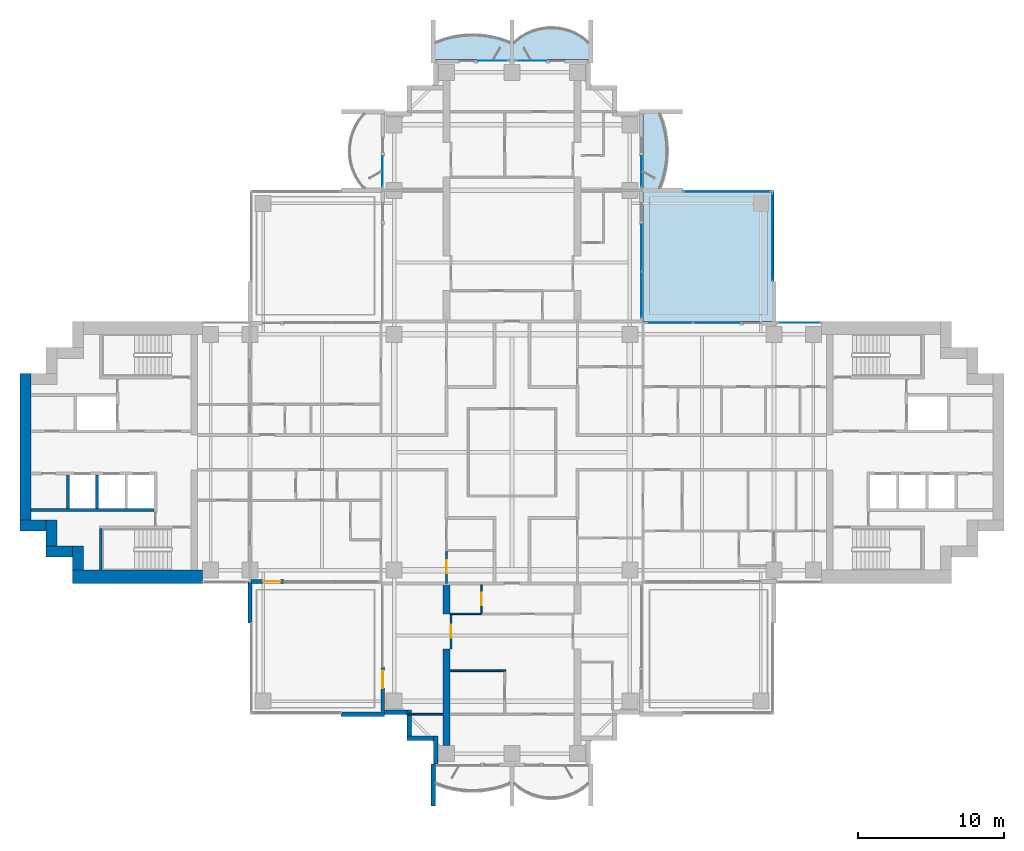
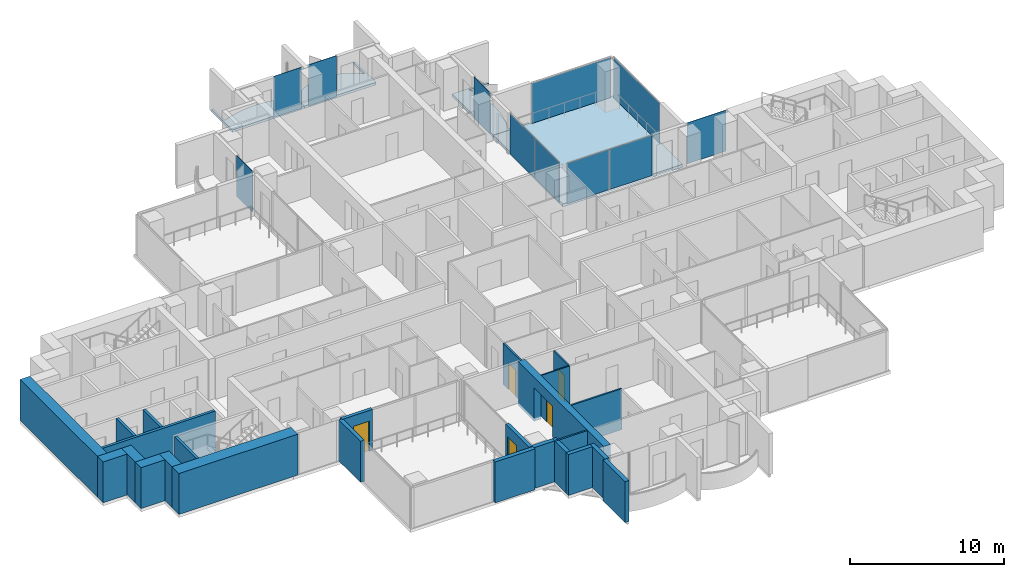
# One storey, part 8 of 19: 26 walls, 11 plates, 5 doors, 4 slabs, 5 openings, 9 elements without a shape of their own.
"""IFC4 building model written with IfcOpenShell, lengths in metres."""

from ifc_helpers import new_model, si_unit, direction, frame, frame_2d, origin, origin_2d, place, context, subcontext, project, spatial, polyline, rectangle, outline, extrude, material, layer, layer_set, material_profile, profile_set, type_object, element, fill, aggregate, save


model = new_model("IFC4")

# Units and contexts
model_context = context("Model", 3, precision=1e-05, world=origin(), true_north=direction((0.0, 1.0)))
body_context = subcontext(model_context, "Body", "Model", "MODEL_VIEW")
ifc_project = project(units=[si_unit("LENGTHUNIT", "METRE"), si_unit("AREAUNIT", "SQUARE_METRE"), si_unit("VOLUMEUNIT", "CUBIC_METRE"), si_unit("PLANEANGLEUNIT", "RADIAN"), si_unit("MASSUNIT", "GRAM", prefix="KILO")], contexts=[model_context])

# Site, building, storey
site_placement = place(None, origin())
site = spatial("IfcSite", under=ifc_project, at=site_placement, CompositionType="ELEMENT")
building_placement = place(site_placement, origin())
building = spatial("IfcBuilding", under=site, at=building_placement, Name="Perihelion Cross Residences", CompositionType="ELEMENT")
storey_placement = place(building_placement, frame((0.0, 0.0, 112.89990234375)))
storey = spatial("IfcBuildingStorey", under=building, at=storey_placement, Name="L26", CompositionType="ELEMENT", Elevation=112.89990234375)

# Slabs
ifc_material_1 = material(Name="Concrete C40/50", Category="concrete")
ifc_layer_1 = layer(ifc_material_1, 0.199951171875)
ifc_layer_set_1 = layer_set([ifc_layer_1], Name="Balcony slab 200")
slab_type_1 = type_object("IfcSlabType", Name="Balcony slab 200", PredefinedType="FLOOR", material=ifc_layer_set_1)
slab_1_placement = place(storey_placement, frame((0.0, 0.0, -0.199951171875)))
element("IfcSlab", 1, at=slab_1_placement, inside=storey, type_object=slab_type_1, Name="Slab BK1 L26 north side east bay 2 balcony", PredefinedType="FLOOR", context=body_context, shape_type="SweptSolid", body=[
    extrude(outline(polyline([(9.0, 18.0), (9.0, 23.39990234375), (11.699951171875, 23.39990234375), (11.699951171875, 23.25), (10.199951171875, 23.25), (10.423583984375, 22.612548828125), (10.57861328125, 21.97509765625), (10.669921875, 21.33740234375), (10.699951171875, 20.699951171875), (10.669921875, 20.0625), (10.57861328125, 19.425048828125), (10.423583984375, 18.78759765625), (10.199951171875, 18.14990234375), (11.699951171875, 18.14990234375), (11.699951171875, 18.0), (9.0, 18.0)])), origin(), (0.0, 0.0, 1.0), 0.199951171875),
])
slab_2_placement = place(storey_placement, frame((0.0, 0.0, -0.199951171875)))
element("IfcSlab", 2, at=slab_2_placement, inside=storey, type_object=slab_type_1, Name="Slab BK1 L26 north tip north bay 1 balcony", PredefinedType="FLOOR", context=body_context, shape_type="SweptSolid", body=[
    extrude(outline(polyline([(5.39990234375, 27.0), (0.0, 27.0), (0.0, 29.699951171875), (0.14990234375, 29.699951171875), (0.14990234375, 28.199951171875), (0.574951171875, 28.5400390625), (1.0, 28.792724609375), (1.425048828125, 28.9765625), (1.85009765625, 29.1025390625), (2.27490234375, 29.17578125), (2.699951171875, 29.199951171875), (3.125, 29.17578125), (3.550048828125, 29.1025390625), (3.97509765625, 28.9765625), (4.39990234375, 28.792724609375), (4.824951171875, 28.5400390625), (5.25, 28.199951171875), (5.25, 29.699951171875), (5.39990234375, 29.699951171875), (5.39990234375, 27.0)])), origin(), (0.0, 0.0, 1.0), 0.199951171875),
])
slab_3_placement = place(storey_placement, frame((0.0, 0.0, -0.199951171875)))
element("IfcSlab", 3, at=slab_3_placement, inside=storey, type_object=slab_type_1, Name="Slab BK1 L26 north tip north bay 2 balcony", PredefinedType="FLOOR", context=body_context, shape_type="SweptSolid", body=[
    extrude(outline(polyline([(0.0, 27.0), (-5.39990234375, 27.0), (-5.39990234375, 29.699951171875), (-5.25, 29.699951171875), (-5.25, 28.199951171875), (-4.612548828125, 28.423583984375), (-3.97509765625, 28.57861328125), (-3.33740234375, 28.669921875), (-2.699951171875, 28.699951171875), (-2.0625, 28.669921875), (-1.425048828125, 28.57861328125), (-0.78759765625, 28.423583984375), (-0.14990234375, 28.199951171875), (-0.14990234375, 29.699951171875), (0.0, 29.699951171875), (0.0, 27.0)])), origin(), (0.0, 0.0, 1.0), 0.199951171875),
])

# Curtain wall, plate
ifc_material_2 = material(Name="Bronze anodised aluminium, tinted glazing", Category="aluminium")
curtain_wall_type_1 = type_object("IfcCurtainWallType", Name="CW1", PredefinedType="NOTDEFINED", material=ifc_material_2)
curtain_wall_1_placement = place(storey_placement, origin())
curtain_wall_1 = element("IfcCurtainWall", 4, at=curtain_wall_1_placement, inside=storey, type_object=curtain_wall_type_1, Name="Curtain wall CW1 L26 east side north bay 1", PredefinedType="NOTDEFINED")
ifc_material_3 = material(Name="Tinted laminated glass", Category="glass")
ifc_layer_2 = layer(ifc_material_3, 0.028076171875)
ifc_layer_set_2 = layer_set([ifc_layer_2], Name="CW1 panel")
plate_type_1 = type_object("IfcPlateType", Name="CW1 panel", PredefinedType="CURTAIN_PANEL", material=ifc_layer_set_2)
plate_1_placement = place(storey_placement, frame((19.72509765625, 8.89990234375, 0.0), z_axis=(0.0, 0.0, 1.0), x_axis=(-1.0, 0.0, 0.0)))
plate_1 = element("IfcPlate", 5, at=plate_1_placement, type_object=plate_type_1, Name="CW1 panel 1", PredefinedType="CURTAIN_PANEL", context=body_context, shape_type="SweptSolid", body=[
    extrude(rectangle(XDim=2.929931640625, YDim=0.028076171875, at=origin_2d()), origin(), (0.0, 0.0, 1.0), 3.25),
])
aggregate(curtain_wall_1, [plate_1])

# Curtain wall, plates
curtain_wall_2_placement = place(storey_placement, origin())
curtain_wall_2 = element("IfcCurtainWall", 6, at=curtain_wall_2_placement, inside=storey, type_object=curtain_wall_type_1, Name="Curtain wall CW1 L26 east side north bay 2", PredefinedType="NOTDEFINED")
plate_2_placement = place(storey_placement, frame((14.052490234375, 8.89990234375, 0.000244140625), z_axis=(0.0, 0.0, 1.0), x_axis=(-1.0, 0.0, 0.0)))
plate_2 = element("IfcPlate", 7, at=plate_2_placement, type_object=plate_type_1, Name="CW1 panel 1", PredefinedType="CURTAIN_PANEL", context=body_context, shape_type="SweptSolid", body=[
    extrude(rectangle(XDim=3.195068359375, YDim=0.028076171875, at=origin_2d()), origin(), (0.0, 0.0, 1.0), 3.18994140625),
])
plate_3_placement = place(storey_placement, frame((10.827392578125, 8.89990234375, 0.000244140625), z_axis=(0.0, 0.0, 1.0), x_axis=(-1.0, 0.0, 0.0)))
plate_3 = element("IfcPlate", 8, at=plate_3_placement, type_object=plate_type_1, Name="CW1 panel 2", PredefinedType="CURTAIN_PANEL", context=body_context, shape_type="SweptSolid", body=[
    extrude(rectangle(XDim=3.135009765625, YDim=0.028076171875, at=origin_2d()), origin(), (0.0, 0.0, 1.0), 3.18994140625),
])
aggregate(curtain_wall_2, [plate_2, plate_3])

curtain_wall_3_placement = place(storey_placement, origin())
curtain_wall_3 = element("IfcCurtainWall", 9, at=curtain_wall_3_placement, inside=storey, type_object=curtain_wall_type_1, Name="Curtain wall CW1 L26 north side east bay 1", PredefinedType="NOTDEFINED")
plate_4_placement = place(storey_placement, frame((8.89990234375, 10.827392578125, 0.000244140625), z_axis=(0.0, 0.0, 1.0), x_axis=(0.0, 1.0, 0.0)))
plate_4 = element("IfcPlate", 10, at=plate_4_placement, type_object=plate_type_1, Name="CW1 panel 1", PredefinedType="CURTAIN_PANEL", context=body_context, shape_type="SweptSolid", body=[
    extrude(rectangle(XDim=3.135009765625, YDim=0.028076171875, at=origin_2d()), origin(), (0.0, 0.0, 1.0), 3.18994140625),
])
plate_5_placement = place(storey_placement, frame((8.89990234375, 14.052490234375, 0.000244140625), z_axis=(0.0, 0.0, 1.0), x_axis=(0.0, 1.0, 0.0)))
plate_5 = element("IfcPlate", 11, at=plate_5_placement, type_object=plate_type_1, Name="CW1 panel 2", PredefinedType="CURTAIN_PANEL", context=body_context, shape_type="SweptSolid", body=[
    extrude(rectangle(XDim=3.195068359375, YDim=0.028076171875, at=origin_2d()), origin(), (0.0, 0.0, 1.0), 3.18994140625),
])
aggregate(curtain_wall_3, [plate_4, plate_5])

# Curtain wall, plate
curtain_wall_4_placement = place(storey_placement, origin())
curtain_wall_4 = element("IfcCurtainWall", 12, at=curtain_wall_4_placement, inside=storey, type_object=curtain_wall_type_1, Name="Curtain wall CW1 L26 north side east bay 2", PredefinedType="NOTDEFINED")
plate_6_placement = place(storey_placement, frame((8.89990234375, 19.304931640625, 0.0), z_axis=(0.0, 0.0, 1.0), x_axis=(0.0, 1.0, 0.0)))
plate_6 = element("IfcPlate", 13, at=plate_6_placement, type_object=plate_type_1, Name="CW1 panel 1", PredefinedType="CURTAIN_PANEL", context=body_context, shape_type="SweptSolid", body=[
    extrude(rectangle(XDim=2.090087890625, YDim=0.028076171875, at=origin_2d()), origin(), (0.0, 0.0, 1.0), 3.25),
])
aggregate(curtain_wall_4, [plate_6])

curtain_wall_5_placement = place(storey_placement, origin())
curtain_wall_5 = element("IfcCurtainWall", 14, at=curtain_wall_5_placement, inside=storey, type_object=curtain_wall_type_1, Name="Curtain wall CW1 L26 north tip north bay 1", PredefinedType="NOTDEFINED")
plate_7_placement = place(storey_placement, frame((1.304931640625, 26.89990234375, 0.0), z_axis=(0.0, 0.0, 1.0), x_axis=(-1.0, 0.0, 0.0)))
plate_7 = element("IfcPlate", 15, at=plate_7_placement, type_object=plate_type_1, Name="CW1 panel 1", PredefinedType="CURTAIN_PANEL", context=body_context, shape_type="SweptSolid", body=[
    extrude(rectangle(XDim=2.090087890625, YDim=0.028076171875, at=origin_2d()), origin(), (0.0, 0.0, 1.0), 3.25),
])
aggregate(curtain_wall_5, [plate_7])

curtain_wall_6_placement = place(storey_placement, origin())
curtain_wall_6 = element("IfcCurtainWall", 16, at=curtain_wall_6_placement, inside=storey, type_object=curtain_wall_type_1, Name="Curtain wall CW1 L26 north tip north bay 2", PredefinedType="NOTDEFINED")
plate_8_placement = place(storey_placement, frame((-1.304931640625, 26.89990234375, 0.0), z_axis=(0.0, 0.0, 1.0), x_axis=(-1.0, 0.0, 0.0)))
plate_8 = element("IfcPlate", 17, at=plate_8_placement, type_object=plate_type_1, Name="CW1 panel 1", PredefinedType="CURTAIN_PANEL", context=body_context, shape_type="SweptSolid", body=[
    extrude(rectangle(XDim=2.090087890625, YDim=0.028076171875, at=origin_2d()), origin(), (0.0, 0.0, 1.0), 3.25),
])
aggregate(curtain_wall_6, [plate_8])

curtain_wall_7_placement = place(storey_placement, origin())
curtain_wall_7 = element("IfcCurtainWall", 18, at=curtain_wall_7_placement, inside=storey, type_object=curtain_wall_type_1, Name="Curtain wall CW1 L26 north side west bay 1", PredefinedType="NOTDEFINED")
plate_9_placement = place(storey_placement, frame((-8.89990234375, 19.304931640625, 0.0), z_axis=(0.0, 0.0, 1.0), x_axis=(0.0, -1.0, 0.0)))
plate_9 = element("IfcPlate", 19, at=plate_9_placement, type_object=plate_type_1, Name="CW1 panel 1", PredefinedType="CURTAIN_PANEL", context=body_context, shape_type="SweptSolid", body=[
    extrude(rectangle(XDim=2.090087890625, YDim=0.028076171875, at=origin_2d()), origin(), (0.0, 0.0, 1.0), 3.25),
])
aggregate(curtain_wall_7, [plate_9])

ifc_material_4 = material(Name="Bronze anodised aluminium, tinted glazing", Category="aluminium")
curtain_wall_type_2 = type_object("IfcCurtainWallType", Name="CW4", PredefinedType="NOTDEFINED", material=ifc_material_4)
curtain_wall_8_placement = place(storey_placement, origin())
curtain_wall_8 = element("IfcCurtainWall", 20, at=curtain_wall_8_placement, inside=storey, type_object=curtain_wall_type_2, Name="Curtain wall CW4 L26 pocket north-east 1 1", PredefinedType="NOTDEFINED")
ifc_material_5 = material(Name="Tinted laminated glass", Category="glass")
ifc_layer_3 = layer(ifc_material_5, 0.030029296875)
ifc_layer_set_3 = layer_set([ifc_layer_3], Name="CW4 panel")
plate_type_2 = type_object("IfcPlateType", Name="CW4 panel", PredefinedType="CURTAIN_PANEL", material=ifc_layer_set_3)
plate_10_placement = place(storey_placement, frame((14.784912109375, 17.89990234375, 0.000244140625), z_axis=(0.0, 0.0, 1.0), x_axis=(1.0, 0.0, 0.0)))
plate_10 = element("IfcPlate", 21, at=plate_10_placement, type_object=plate_type_2, Name="CW4 panel 1", PredefinedType="CURTAIN_PANEL", context=body_context, shape_type="SweptSolid", body=[
    extrude(rectangle(XDim=5.969970703125, YDim=0.030029296875, at=origin_2d()), origin(), (0.0, 0.0, 1.0), 3.18994140625),
])
aggregate(curtain_wall_8, [plate_10])

curtain_wall_9_placement = place(storey_placement, origin())
curtain_wall_9 = element("IfcCurtainWall", 22, at=curtain_wall_9_placement, inside=storey, type_object=curtain_wall_type_2, Name="Curtain wall CW4 L26 pocket north-east 1 2", PredefinedType="NOTDEFINED")
plate_11_placement = place(storey_placement, frame((17.89990234375, 14.784912109375, 0.000244140625), z_axis=(0.0, 0.0, 1.0), x_axis=(0.0, -1.0, 0.0)))
plate_11 = element("IfcPlate", 23, at=plate_11_placement, type_object=plate_type_2, Name="CW4 panel 1", PredefinedType="CURTAIN_PANEL", context=body_context, shape_type="SweptSolid", body=[
    extrude(rectangle(XDim=5.969970703125, YDim=0.030029296875, at=origin_2d()), origin(), (0.0, 0.0, 1.0), 3.18994140625),
])
aggregate(curtain_wall_9, [plate_11])

# Slab
ifc_material_6 = material(Name="Concrete C40/50", Category="concrete")
ifc_layer_4 = layer(ifc_material_6, 0.25)
ifc_layer_set_4 = layer_set([ifc_layer_4], Name="Winter garden slab")
slab_type_2 = type_object("IfcSlabType", Name="Winter garden slab", PredefinedType="FLOOR", material=ifc_layer_set_4)
slab_4_placement = place(storey_placement, frame((0.0, 0.0, -0.25)))
element("IfcSlab", 24, at=slab_4_placement, inside=storey, type_object=slab_type_2, Name="Slab BK3 L26 pocket north-east", PredefinedType="FLOOR", context=body_context, shape_type="SweptSolid", body=[
    extrude(outline(polyline([(18.0, 9.0), (18.0, 18.0), (9.0, 18.0), (9.0, 9.0), (18.0, 9.0)])), origin(), (0.0, 0.0, 1.0), 0.25),
])

# Wall, opening, door
ifc_material_7 = material(Name="Concrete C30/37, bronze-clad", Category="concrete")
ifc_layer_5 = layer(ifc_material_7, 0.25)
ifc_layer_set_5 = layer_set([ifc_layer_5], Name="Bronze-clad pier wall 250")
wall_type_1 = type_object("IfcWallType", Name="Bronze-clad pier wall 250", PredefinedType="SOLIDWALL", material=ifc_layer_set_5)
wall_1_placement = place(storey_placement, frame((-17.93994140625, -8.875, 0.0), z_axis=(0.0, 0.0, 1.0), x_axis=(1.0, 0.0, 0.0)))
wall_1 = element("IfcWall", 25, at=wall_1_placement, inside=storey, type_object=wall_type_1, Name="Wall FW1 L26 west side south bay 2 pier", PredefinedType="SOLIDWALL", context=body_context, shape_type="SweptSolid", body=[
    extrude(rectangle(XDim=2.2900390625, YDim=0.25, at=frame_2d((1.14501953125, 0.0))), origin(), (0.0, 0.0, 1.0), 3.25),
])
opening_1_placement = place(wall_1_placement, frame((0.840087890625, 0.0, 0.0)))
opening_1 = element("IfcOpeningElement", 26, at=opening_1_placement, cuts=wall_1, Name="Opening L26.E09", PredefinedType="OPENING", context=body_context, shape_type="SweptSolid", body=[
    extrude(rectangle(XDim=1.199951171875, YDim=2.39990234375, at=frame_2d((0.60009765625, 1.199951171875))), frame((0.0, 0.135009765625, 0.0), z_axis=(0.0, -1.0, 0.0), x_axis=(1.0, 0.0, 0.0)), (0.0, 0.0, 1.0), 0.27001953125),
])
ifc_material_8 = material(Name="Bronze anodised aluminium, glazed", Category="aluminium")
door_type_1 = type_object("IfcDoorType", Name="Balcony door 1200 x 2400", OperationType="NOTDEFINED", PredefinedType="DOOR", material=ifc_material_8)
door_1_placement = place(opening_1_placement, origin())
door_1 = element("IfcDoor", 27, at=door_1_placement, inside=storey, type_object=door_type_1, Name="Door L26.E09 west side south bay 2", OperationType="SINGLE_SWING_RIGHT", OverallHeight=2.39990234375, OverallWidth=1.199951171875, PredefinedType="DOOR", context=body_context, shape_type="SweptSolid", body=[
    extrude(rectangle(XDim=1.199951171875, YDim=2.39990234375, at=frame_2d((0.60009765625, 1.199951171875))), frame((0.0, 0.02490234375, 0.0), z_axis=(0.0, -1.0, 0.0), x_axis=(1.0, 0.0, 0.0)), (0.0, 0.0, 1.0), 0.050048828125),
])
fill(opening_1, door_1)

wall_2_placement = place(storey_placement, frame((-8.875, -14.75, 0.0), z_axis=(0.0, 0.0, 1.0), x_axis=(0.0, -1.0, 0.0)))
wall_2 = element("IfcWall", 28, at=wall_2_placement, inside=storey, type_object=wall_type_1, Name="Wall FW1 L26 south side west bay 1 pier", PredefinedType="SOLIDWALL", context=body_context, shape_type="SweptSolid", body=[
    extrude(rectangle(XDim=3.050048828125, YDim=0.25, at=frame_2d((1.52490234375, 0.0))), origin(), (0.0, 0.0, 1.0), 3.25),
])
opening_2_placement = place(wall_2_placement, frame((0.25, 0.0, 0.0)))
opening_2 = element("IfcOpeningElement", 29, at=opening_2_placement, cuts=wall_2, Name="Opening L26.E10", PredefinedType="OPENING", context=body_context, shape_type="SweptSolid", body=[
    extrude(rectangle(XDim=1.199951171875, YDim=2.39990234375, at=frame_2d((0.60009765625, 1.199951171875))), frame((0.0, 0.135009765625, 0.0), z_axis=(0.0, -1.0, 0.0), x_axis=(1.0, 0.0, 0.0)), (0.0, 0.0, 1.0), 0.27001953125),
])
door_2_placement = place(opening_2_placement, origin())
door_2 = element("IfcDoor", 30, at=door_2_placement, inside=storey, type_object=door_type_1, Name="Door L26.E10 south side west bay 1", OperationType="SINGLE_SWING_LEFT", OverallHeight=2.39990234375, OverallWidth=1.199951171875, PredefinedType="DOOR", context=body_context, shape_type="SweptSolid", body=[
    extrude(rectangle(XDim=1.199951171875, YDim=2.39990234375, at=frame_2d((0.60009765625, 1.199951171875))), frame((0.0, 0.02490234375, 0.0), z_axis=(0.0, -1.0, 0.0), x_axis=(1.0, 0.0, 0.0)), (0.0, 0.0, 1.0), 0.050048828125),
])
fill(opening_2, door_2)

# Walls
ifc_material_9 = material(Name="Concrete C30/37, bronze-clad", Category="concrete")
ifc_layer_6 = layer(ifc_material_9, 0.300048828125)
ifc_layer_set_6 = layer_set([ifc_layer_6], Name="Bronze-clad serration wall 300")
wall_type_2 = type_object("IfcWallType", Name="Bronze-clad serration wall 300", PredefinedType="SOLIDWALL", material=ifc_layer_set_6)
wall_3_placement = place(storey_placement, frame((-8.75, -17.85009765625, 0.0), z_axis=(0.0, 0.0, 1.0), x_axis=(1.0, 0.0, 0.0)))
element("IfcWall", 31, at=wall_3_placement, inside=storey, type_object=wall_type_2, Name="Wall SR1 L26 south corner south-west 1", PredefinedType="SOLIDWALL", context=body_context, shape_type="SweptSolid", body=[
    extrude(rectangle(XDim=1.550048828125, YDim=0.300048828125, at=frame_2d((0.77490234375, 0.0))), origin(), (0.0, 0.0, 1.0), 3.25),
])
for number, where, z_axis, x_axis, name in (
    (32, (-7.050048828125, -17.699951171875, 0.0), (0.0, 0.0, 1.0), (0.0, -1.0, 0.0), "Wall SR1 L26 south corner south-west 2"),
    (33, (-7.199951171875, -19.64990234375, 0.0), (0.0, 0.0, 1.0), (1.0, 0.0, 0.0), "Wall SR1 L26 south corner south-west 3"),
):
    element("IfcWall", number, at=place(storey_placement, frame(where, z_axis=z_axis, x_axis=x_axis)), inside=storey, type_object=wall_type_2, Name=name, PredefinedType="SOLIDWALL", context=body_context, shape_type="SweptSolid", body=[
        extrude(rectangle(XDim=1.800048828125, YDim=0.300048828125, at=frame_2d((0.89990234375, 0.0))), origin(), (0.0, 0.0, 1.0), 3.25),
    ])
wall_4_placement = place(storey_placement, frame((-5.25, -19.5, 0.0), z_axis=(0.0, 0.0, 1.0), x_axis=(0.0, -1.0, 0.0)))
element("IfcWall", 34, at=wall_4_placement, inside=storey, type_object=wall_type_2, Name="Wall SR1 L26 south corner south-west 4", PredefinedType="SOLIDWALL", context=body_context, shape_type="SweptSolid", body=[
    extrude(rectangle(XDim=1.919921875, YDim=0.300048828125, at=frame_2d((0.9599609375, 0.0))), origin(), (0.0, 0.0, 1.0), 3.25),
])
ifc_material_10 = material(Name="Concrete C60/75", Category="concrete")
ifc_layer_7 = layer(ifc_material_10, 0.75)
ifc_layer_set_7 = layer_set([ifc_layer_7], Name="Core wall, outer 750")
wall_type_3 = type_object("IfcWallType", Name="Core wall, outer 750", PredefinedType="SHEAR", material=ifc_layer_set_7)
wall_5_placement = place(storey_placement, frame((-29.824951171875, -8.10009765625, 0.0), z_axis=(0.0, 0.0, 1.0), x_axis=(0.0, 1.0, 0.0)))
element("IfcWall", 35, at=wall_5_placement, inside=storey, type_object=wall_type_3, Name="West core core wall, outer", PredefinedType="SHEAR", context=body_context, shape_type="SweptSolid", body=[
    extrude(rectangle(XDim=1.650146484375, YDim=0.75, at=frame_2d((0.8251953125, 0.0))), origin(), (0.0, 0.0, 1.0), 3.25),
])
for number, where, z_axis, x_axis, name in (
    (36, (-32.0, -6.824951171875, 0.0), (0.0, 0.0, 1.0), (1.0, 0.0, 0.0), "West core core wall, outer"),
    (37, (-31.625, -6.449951171875, 0.0), (0.0, 0.0, 1.0), (0.0, 1.0, 0.0), "West core core wall, outer"),
    (38, (-33.800048828125, -5.02490234375, 0.0), (0.0, 0.0, 1.0), (1.0, 0.0, 0.0), "West core core wall, outer"),
):
    element("IfcWall", number, at=place(storey_placement, frame(where, z_axis=z_axis, x_axis=x_axis)), inside=storey, type_object=wall_type_3, Name=name, PredefinedType="SHEAR", context=body_context, shape_type="SweptSolid", body=[
        extrude(rectangle(XDim=1.800048828125, YDim=0.75, at=frame_2d((0.89990234375, 0.0))), origin(), (0.0, 0.0, 1.0), 3.25),
    ])
wall_6_placement = place(storey_placement, frame((-33.425048828125, -4.64990234375, 0.0), z_axis=(0.0, 0.0, 1.0), x_axis=(0.0, 1.0, 0.0)))
element("IfcWall", 39, at=wall_6_placement, inside=storey, type_object=wall_type_3, Name="West core core wall, outer", PredefinedType="SHEAR", context=body_context, shape_type="SweptSolid", body=[
    extrude(rectangle(XDim=10.0498046875, YDim=0.75, at=frame_2d((5.02490234375, 0.0))), origin(), (0.0, 0.0, 1.0), 3.25),
])
ifc_material_11 = material(Name="Concrete C60/75", Category="concrete")
ifc_layer_8 = layer(ifc_material_11, 0.89990234375)
ifc_layer_set_8 = layer_set([ifc_layer_8], Name="Core wall, outer 900")
wall_type_4 = type_object("IfcWallType", Name="Core wall, outer 900", PredefinedType="SHEAR", material=ifc_layer_set_8)
wall_7_placement = place(storey_placement, frame((-30.199951171875, -8.550048828125, 0.0), z_axis=(0.0, 0.0, 1.0), x_axis=(1.0, 0.0, 0.0)))
element("IfcWall", 40, at=wall_7_placement, inside=storey, type_object=wall_type_4, Name="West core core wall, outer", PredefinedType="SHEAR", context=body_context, shape_type="SweptSolid", body=[
    extrude(rectangle(XDim=8.949951171875, YDim=0.89990234375, at=frame_2d((4.47509765625, 0.0))), origin(), (0.0, 0.0, 1.0), 3.25),
])

# Wall, opening, door
ifc_material_12 = material(Name="Plasterboard partition")
ifc_layer_9 = layer(ifc_material_12, 0.1201171875)
ifc_layer_set_9 = layer_set([ifc_layer_9], Name="Infill panel 120")
wall_type_5 = type_object("IfcWallType", Name="Infill panel 120", PredefinedType="PARTITIONING", material=ifc_layer_set_9)
wall_8_placement = place(storey_placement, frame((-4.18994140625, -11.10009765625, 0.0), z_axis=(0.0, 0.0, 1.0), x_axis=(0.0, -1.0, 0.0)))
wall_8 = element("IfcWall", 41, at=wall_8_placement, inside=storey, type_object=wall_type_5, Name="Partition L26 WI06", PredefinedType="PARTITIONING", context=body_context, shape_type="SweptSolid", body=[
    extrude(rectangle(XDim=2.39990234375, YDim=0.1201171875, at=frame_2d((1.199951171875, 0.0))), origin(), (0.0, 0.0, 1.0), 2.400146484375),
])
opening_3_placement = place(wall_8_placement, frame((0.75, 0.0, 0.0)))
opening_3 = element("IfcOpeningElement", 42, at=opening_3_placement, cuts=wall_8, Name="Opening L26.A58", PredefinedType="OPENING", context=body_context, shape_type="SweptSolid", body=[
    extrude(rectangle(XDim=0.89990234375, YDim=2.10009765625, at=frame_2d((0.449951171875, 1.050048828125))), frame((0.0, 0.070068359375, 0.0), z_axis=(0.0, -1.0, 0.0), x_axis=(1.0, 0.0, 0.0)), (0.0, 0.0, 1.0), 0.14013671875),
])
ifc_material_13 = material(Name="Timber door leaf", Category="wood")
door_type_2 = type_object("IfcDoorType", Name="Interior room door 900 x 2100", OperationType="SINGLE_SWING_LEFT", PredefinedType="DOOR", material=ifc_material_13)
door_3_placement = place(opening_3_placement, origin())
door_3 = element("IfcDoor", 43, at=door_3_placement, inside=storey, type_object=door_type_2, Name="Door L26.A58", OperationType="SINGLE_SWING_RIGHT", OverallHeight=2.10009765625, OverallWidth=0.89990234375, PredefinedType="DOOR", context=body_context, shape_type="SweptSolid", body=[
    extrude(rectangle(XDim=0.89990234375, YDim=2.10009765625, at=frame_2d((0.449951171875, 1.050048828125))), frame((0.0, 0.02490234375, 0.0), z_axis=(0.0, -1.0, 0.0), x_axis=(1.0, 0.0, 0.0)), (0.0, 0.0, 1.0), 0.050048828125),
])
fill(opening_3, door_3)

ifc_material_14 = material(Name="Plasterboard partition")
ifc_layer_10 = layer(ifc_material_14, 0.1201171875)
ifc_layer_set_10 = layer_set([ifc_layer_10], Name="Partition wall 120")
wall_type_6 = type_object("IfcWallType", Name="Partition wall 120", PredefinedType="PARTITIONING", material=ifc_layer_set_10)
wall_9_placement = place(storey_placement, frame((-4.5, -6.75, 0.0), z_axis=(0.0, 0.0, 1.0), x_axis=(0.0, -1.0, 0.0)))
wall_9 = element("IfcWall", 44, at=wall_9_placement, inside=storey, type_object=wall_type_6, Name="Partition L26 W064", PredefinedType="PARTITIONING", context=body_context, shape_type="SweptSolid", body=[
    extrude(rectangle(XDim=2.25, YDim=0.1201171875, at=frame_2d((1.125, 0.0))), origin(), (0.0, 0.0, 1.0), 3.25),
])
opening_4_placement = place(wall_9_placement, frame((0.675048828125, 0.0, 0.0)))
opening_4 = element("IfcOpeningElement", 45, at=opening_4_placement, cuts=wall_9, Name="Opening L26.A31", PredefinedType="OPENING", context=body_context, shape_type="SweptSolid", body=[
    extrude(rectangle(XDim=0.89990234375, YDim=2.10009765625, at=frame_2d((0.449951171875, 1.050048828125))), frame((0.0, 0.070068359375, 0.0), z_axis=(0.0, -1.0, 0.0), x_axis=(1.0, 0.0, 0.0)), (0.0, 0.0, 1.0), 0.14013671875),
])
door_4_placement = place(opening_4_placement, origin())
door_4 = element("IfcDoor", 46, at=door_4_placement, inside=storey, type_object=door_type_2, Name="Door L26.A31", OperationType="SINGLE_SWING_LEFT", OverallHeight=2.10009765625, OverallWidth=0.89990234375, PredefinedType="DOOR", context=body_context, shape_type="SweptSolid", body=[
    extrude(rectangle(XDim=0.89990234375, YDim=2.10009765625, at=frame_2d((0.449951171875, 1.050048828125))), frame((0.0, 0.02490234375, 0.0), z_axis=(0.0, -1.0, 0.0), x_axis=(1.0, 0.0, 0.0)), (0.0, 0.0, 1.0), 0.050048828125),
])
fill(opening_4, door_4)

# Walls
wall_10_placement = place(storey_placement, frame((-0.43994140625, -15.0, 0.0), z_axis=(0.0, 0.0, 1.0), x_axis=(-1.0, 0.0, 0.0)))
element("IfcWall", 47, at=wall_10_placement, inside=storey, type_object=wall_type_6, Name="Partition L26 W086", PredefinedType="PARTITIONING", context=body_context, shape_type="SweptSolid", body=[
    extrude(rectangle(XDim=3.81005859375, YDim=0.1201171875, at=frame_2d((1.905029296875, 0.0))), origin(), (0.0, 0.0, 1.0), 3.25),
])
wall_11_placement = place(storey_placement, frame((-4.75, -18.0, 0.0), z_axis=(0.0, 0.0, 1.0), x_axis=(-1.0, 0.0, 0.0)))
element("IfcWall", 48, at=wall_11_placement, inside=storey, type_object=wall_type_6, Name="Partition L26 W091", PredefinedType="PARTITIONING", context=body_context, shape_type="SweptSolid", body=[
    extrude(rectangle(XDim=2.3701171875, YDim=0.1201171875, at=frame_2d((1.18505859375, 0.0))), origin(), (0.0, 0.0, 1.0), 3.25),
])
ifc_material_15 = material(Name="Precast concrete C50/60", Category="concrete")
ifc_layer_11 = layer(ifc_material_15, 0.300048828125)
ifc_layer_set_11 = layer_set([ifc_layer_11], Name="Precast concrete C50/60 blade wall 300")
wall_type_7 = type_object("IfcWallType", Name="Precast concrete C50/60 blade wall 300", PredefinedType="SOLIDWALL", material=ifc_layer_set_11)
wall_12_placement = place(storey_placement, frame((-18.0, -8.919921875, 0.0), z_axis=(0.0, 0.0, 1.0), x_axis=(0.0, -1.0, 0.0)))
element("IfcWall", 49, at=wall_12_placement, inside=storey, type_object=wall_type_7, Name="Wall BL1 L26 no. 1", PredefinedType="SOLIDWALL", context=body_context, shape_type="SweptSolid", body=[
    extrude(rectangle(XDim=2.820068359375, YDim=0.300048828125, at=frame_2d((1.41015625, 0.0))), origin(), (0.0, 0.0, 1.0), 3.25),
])
wall_13_placement = place(storey_placement, frame((-8.75, -18.0, 0.0), z_axis=(0.0, 0.0, 1.0), x_axis=(-1.0, 0.0, 0.0)))
element("IfcWall", 50, at=wall_13_placement, inside=storey, type_object=wall_type_7, Name="Wall BL1 L26 no. 5", PredefinedType="SOLIDWALL", context=body_context, shape_type="SweptSolid", body=[
    extrude(rectangle(XDim=2.989990234375, YDim=0.300048828125, at=frame_2d((1.4951171875, 0.0))), origin(), (0.0, 0.0, 1.0), 3.25),
])
wall_14_placement = place(storey_placement, frame((-5.39990234375, -21.419921875, 0.0), z_axis=(0.0, 0.0, 1.0), x_axis=(0.0, -1.0, 0.0)))
element("IfcWall", 51, at=wall_14_placement, inside=storey, type_object=wall_type_7, Name="Wall BL1 L26 no. 3", PredefinedType="SOLIDWALL", context=body_context, shape_type="SweptSolid", body=[
    extrude(rectangle(XDim=2.880126953125, YDim=0.300048828125, at=frame_2d((1.43994140625, 0.0))), origin(), (0.0, 0.0, 1.0), 3.25),
])
ifc_material_16 = material(Name="Concrete C50/60", Category="concrete")
ifc_layer_12 = layer(ifc_material_16, 0.199951171875)
ifc_layer_set_12 = layer_set([ifc_layer_12], Name="Shaft wall 200")
wall_type_8 = type_object("IfcWallType", Name="Shaft wall 200", PredefinedType="SOLIDWALL", material=ifc_layer_set_12)
wall_15_placement = place(storey_placement, frame((-33.050048828125, -3.949951171875, 0.0), z_axis=(0.0, 0.0, 1.0), x_axis=(1.0, 0.0, 0.0)))
element("IfcWall", 52, at=wall_15_placement, inside=storey, type_object=wall_type_8, Name="West core shaft wall", PredefinedType="SOLIDWALL", context=body_context, shape_type="SweptSolid", body=[
    extrude(rectangle(XDim=8.449951171875, YDim=0.199951171875, at=frame_2d((4.22509765625, 0.0))), origin(), (0.0, 0.0, 1.0), 3.25),
])
for number, where, z_axis, x_axis, name in (
    (53, (-28.5, -3.85009765625, 0.0), (0.0, 0.0, 1.0), (0.0, 1.0, 0.0), "West core shaft wall"),
    (54, (-30.5, -3.85009765625, 0.0), (0.0, 0.0, 1.0), (0.0, 1.0, 0.0), "West core shaft wall"),
):
    element("IfcWall", number, at=place(storey_placement, frame(where, z_axis=z_axis, x_axis=x_axis)), inside=storey, type_object=wall_type_8, Name=name, PredefinedType="SOLIDWALL", context=body_context, shape_type="SweptSolid", body=[
        extrude(rectangle(XDim=2.300048828125, YDim=0.199951171875, at=frame_2d((1.14990234375, 0.0))), origin(), (0.0, 0.0, 1.0), 3.25),
    ])
ifc_material_17 = material(Name="Concrete C50/60", Category="concrete")
ifc_layer_13 = layer(ifc_material_17, 0.199951171875)
ifc_layer_set_13 = layer_set([ifc_layer_13], Name="Stair wall 200")
wall_type_9 = type_object("IfcWallType", Name="Stair wall 200", PredefinedType="SOLIDWALL", material=ifc_layer_set_13)
wall_16_placement = place(storey_placement, frame((-28.25, -8.10009765625, 0.0), z_axis=(0.0, 0.0, 1.0), x_axis=(0.0, 1.0, 0.0)))
element("IfcWall", 55, at=wall_16_placement, inside=storey, type_object=wall_type_9, Name="West core stair wall", PredefinedType="SOLIDWALL", context=body_context, shape_type="SweptSolid", body=[
    extrude(rectangle(XDim=2.85009765625, YDim=0.199951171875, at=frame_2d((1.425048828125, 0.0))), origin(), (0.0, 0.0, 1.0), 3.25),
])
ifc_material_18 = material(Name="Concrete C60/75", Category="concrete")
ifc_material_profile = material_profile(ifc_material_18, outline(polyline([(0.0, 0.0), (6.64990234375, 0.0), (6.64990234375, 2.64990234375), (9.050048828125, 2.64990234375), (9.050048828125, 0.0), (11.14990234375, 0.0), (11.14990234375, 3.5), (0.0, 3.5), (0.0, 0.0)])), Name="Tip spine wall")
ifc_profile_set = profile_set([ifc_material_profile], Name="Concrete C60/75")
wall_type_10 = type_object("IfcWallType", Name="Tip spine wall 500 with 1 door openings 11150 long 3500 high concrete C60/75", PredefinedType="SHEAR", material=ifc_profile_set)
wall_17_placement = place(storey_placement, frame((-4.75, -20.14990234375, -0.25), z_axis=(1.0, 0.0, 0.0), x_axis=(0.0, 1.0, 0.0)))
element("IfcWall", 56, at=wall_17_placement, inside=storey, type_object=wall_type_10, Name="Shear wall SW33 L26 south west", PredefinedType="SHEAR", context=body_context, shape_type="SweptSolid", body=[
    extrude(outline(polyline([(0.0, 0.0), (6.64990234375, 0.0), (6.64990234375, 2.64990234375), (9.050048828125, 2.64990234375), (9.050048828125, 0.0), (11.14990234375, 0.0), (11.14990234375, 3.5), (0.0, 3.5), (0.0, 0.0)])), origin(), (0.0, 0.0, 1.0), 0.5),
])

# Wall, opening, door
ifc_material_19 = material(Name="Plasterboard partition")
ifc_layer_14 = layer(ifc_material_19, 0.10009765625)
ifc_layer_set_14 = layer_set([ifc_layer_14], Name="Wet room wall 100")
wall_type_11 = type_object("IfcWallType", Name="Wet room wall 100", PredefinedType="PARTITIONING", material=ifc_layer_set_14)
wall_18_placement = place(storey_placement, frame((-2.10009765625, -11.0400390625, 0.0), z_axis=(0.0, 0.0, 1.0), x_axis=(0.0, 1.0, 0.0)))
wall_18 = element("IfcWall", 57, at=wall_18_placement, inside=storey, type_object=wall_type_11, Name="Partition L26 W082", PredefinedType="PARTITIONING", context=body_context, shape_type="SweptSolid", body=[
    extrude(rectangle(XDim=1.93994140625, YDim=0.10009765625, at=frame_2d((0.969970703125, 0.0))), origin(), (0.0, 0.0, 1.0), 3.25),
])
opening_5_placement = place(wall_18_placement, frame((0.544921875, 0.0, 0.0)))
opening_5 = element("IfcOpeningElement", 58, at=opening_5_placement, cuts=wall_18, Name="Opening L26.A44", PredefinedType="OPENING", context=body_context, shape_type="SweptSolid", body=[
    extrude(rectangle(XDim=0.85009765625, YDim=2.10009765625, at=frame_2d((0.425048828125, 1.050048828125))), frame((0.0, 0.06005859375, 0.0), z_axis=(0.0, -1.0, 0.0), x_axis=(1.0, 0.0, 0.0)), (0.0, 0.0, 1.0), 0.1201171875),
])
ifc_material_20 = material(Name="Timber door leaf", Category="wood")
door_type_3 = type_object("IfcDoorType", Name="Interior bathroom door 850 x 2100", OperationType="SINGLE_SWING_LEFT", PredefinedType="DOOR", material=ifc_material_20)
door_5_placement = place(opening_5_placement, origin())
door_5 = element("IfcDoor", 59, at=door_5_placement, inside=storey, type_object=door_type_3, Name="Door L26.A44", OperationType="SINGLE_SWING_RIGHT", OverallHeight=2.10009765625, OverallWidth=0.85009765625, PredefinedType="DOOR", context=body_context, shape_type="SweptSolid", body=[
    extrude(rectangle(XDim=0.85009765625, YDim=2.10009765625, at=frame_2d((0.425048828125, 1.050048828125))), frame((0.0, 0.02490234375, 0.0), z_axis=(0.0, -1.0, 0.0), x_axis=(1.0, 0.0, 0.0)), (0.0, 0.0, 1.0), 0.050048828125),
])
fill(opening_5, door_5)

# Wall
wall_19_placement = place(storey_placement, frame((-2.10009765625, -11.10009765625, 0.0), z_axis=(0.0, 0.0, 1.0), x_axis=(-1.0, 0.0, 0.0)))
element("IfcWall", 60, at=wall_19_placement, inside=storey, type_object=wall_type_11, Name="Partition L26 W084", PredefinedType="PARTITIONING", context=body_context, shape_type="SweptSolid", body=[
    extrude(rectangle(XDim=2.14990234375, YDim=0.10009765625, at=frame_2d((1.074951171875, 0.0))), origin(), (0.0, 0.0, 1.0), 3.25),
])

save(model, "model.ifc")
